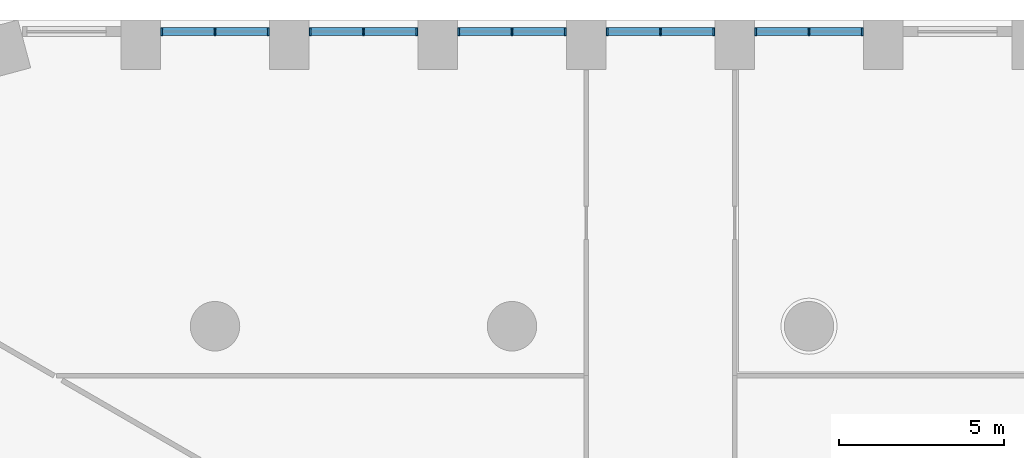
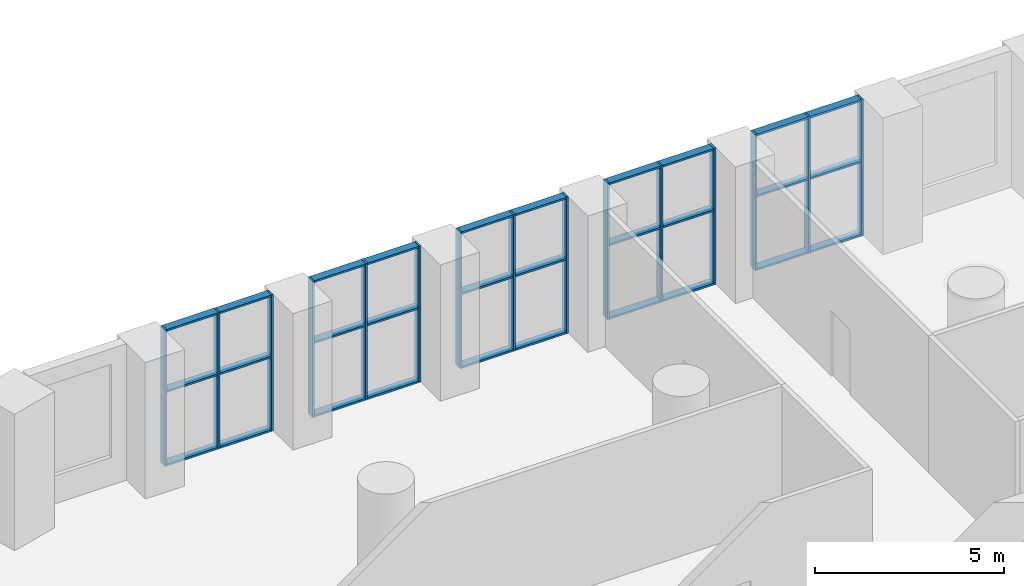
# One storey, part 3 of 26: 45 members, 5 elements without a shape of their own.
"""IFC4 building model written with IfcOpenShell, lengths in metres."""

from ifc_helpers import new_model, si_unit, direction, frame, origin, origin_2d, place, context, subcontext, project, spatial, rectangle, extrude, material, layer, layer_set, material_profile, profile_set, type_object, element, aggregate, save


model = new_model("IFC4")

# Units and contexts
model_context = context("Model", 3, precision=1e-05, world=origin(), true_north=direction((0.0, 1.0)))
body_context = subcontext(model_context, "Body", "Model", "MODEL_VIEW")
ifc_project = project(units=[si_unit("LENGTHUNIT", "METRE"), si_unit("AREAUNIT", "SQUARE_METRE"), si_unit("VOLUMEUNIT", "CUBIC_METRE"), si_unit("PLANEANGLEUNIT", "RADIAN"), si_unit("MASSUNIT", "GRAM", prefix="KILO")], contexts=[model_context])

# Site, building, storey
site_placement = place(None, origin())
site = spatial("IfcSite", under=ifc_project, at=site_placement, CompositionType="ELEMENT")
building_placement = place(site_placement, origin())
building = spatial("IfcBuilding", under=site, at=building_placement, Name="Dhurran Vertical Campus", CompositionType="ELEMENT")
storey_placement = place(building_placement, frame((0.0, 0.0, 15.60009765625)))
storey = spatial("IfcBuildingStorey", under=building, at=storey_placement, Name="L03", CompositionType="ELEMENT", Elevation=15.60009765625)

# Curtain wall, members
ifc_material_1 = material(Name="Aluminium frame with solar-control glass", Category="aluminium")
ifc_layer = layer(ifc_material_1, 0.25)
ifc_layer_set = layer_set([ifc_layer], Name="Aluminium frame with solar-control glass")
curtain_wall_type = type_object("IfcCurtainWallType", Name="Library atrium glazing system", PredefinedType="NOTDEFINED", material=ifc_layer_set)
curtain_wall_1_placement = place(storey_placement, origin())
curtain_wall_1 = element("IfcCurtainWall", 1, at=curtain_wall_1_placement, inside=storey, type_object=curtain_wall_type, Name="CW2 L03.29", PredefinedType="NOTDEFINED")
ifc_material_2 = material(Name="Aluminium mullion", Category="aluminium")
ifc_material_profile_1 = material_profile(ifc_material_2, rectangle(XDim=0.239990234375, YDim=0.06005859375, at=origin_2d()), Name="Library atrium glazing system mullion")
ifc_profile_set_1 = profile_set([ifc_material_profile_1], Name="Aluminium mullion")
member_type_1 = type_object("IfcMemberType", Name="Library atrium glazing system mullion", PredefinedType="MULLION", material=ifc_profile_set_1)
member_1_placement = place(storey_placement, frame((6.119384765625, 31.4296875, 0.0), z_axis=(0.0, 0.0, 1.0), x_axis=(0.0, -1.0, 0.0)))
member_1 = element("IfcMember", 2, at=member_1_placement, type_object=member_type_1, Name="CW2 mullion 1", PredefinedType="MULLION", context=body_context, shape_type="SweptSolid", body=[
    extrude(rectangle(XDim=0.239990234375, YDim=0.06005859375, at=origin_2d()), origin(), (0.0, 0.0, 1.0), 4.39990234375),
])
member_2_placement = place(storey_placement, frame((4.5, 31.4296875, 0.0), z_axis=(0.0, 0.0, 1.0), x_axis=(0.0, -1.0, 0.0)))
member_2 = element("IfcMember", 3, at=member_2_placement, type_object=member_type_1, Name="CW2 mullion 2", PredefinedType="MULLION", context=body_context, shape_type="SweptSolid", body=[
    extrude(rectangle(XDim=0.239990234375, YDim=0.06005859375, at=origin_2d()), origin(), (0.0, 0.0, 1.0), 4.39990234375),
])
member_3_placement = place(storey_placement, frame((2.880615234375, 31.4296875, 0.0), z_axis=(0.0, 0.0, 1.0), x_axis=(0.0, -1.0, 0.0)))
member_3 = element("IfcMember", 4, at=member_3_placement, type_object=member_type_1, Name="CW2 mullion 3", PredefinedType="MULLION", context=body_context, shape_type="SweptSolid", body=[
    extrude(rectangle(XDim=0.239990234375, YDim=0.06005859375, at=origin_2d()), origin(), (0.0, 0.0, 1.0), 4.39990234375),
])

curtain_wall_2_placement = place(storey_placement, origin())
curtain_wall_2 = element("IfcCurtainWall", 5, at=curtain_wall_2_placement, inside=storey, type_object=curtain_wall_type, Name="CW2 L03.30", PredefinedType="NOTDEFINED")
member_4_placement = place(storey_placement, frame((1.619384765625, 31.4296875, 0.0), z_axis=(0.0, 0.0, 1.0), x_axis=(0.0, -1.0, 0.0)))
member_4 = element("IfcMember", 6, at=member_4_placement, type_object=member_type_1, Name="CW2 mullion 1", PredefinedType="MULLION", context=body_context, shape_type="SweptSolid", body=[
    extrude(rectangle(XDim=0.239990234375, YDim=0.06005859375, at=origin_2d()), origin(), (0.0, 0.0, 1.0), 4.39990234375),
])
member_5_placement = place(storey_placement, frame((0.0, 31.4296875, 0.0), z_axis=(0.0, 0.0, 1.0), x_axis=(0.0, -1.0, 0.0)))
member_5 = element("IfcMember", 7, at=member_5_placement, type_object=member_type_1, Name="CW2 mullion 2", PredefinedType="MULLION", context=body_context, shape_type="SweptSolid", body=[
    extrude(rectangle(XDim=0.239990234375, YDim=0.06005859375, at=origin_2d()), origin(), (0.0, 0.0, 1.0), 4.39990234375),
])
member_6_placement = place(storey_placement, frame((-1.619384765625, 31.4296875, 0.0), z_axis=(0.0, 0.0, 1.0), x_axis=(0.0, -1.0, 0.0)))
member_6 = element("IfcMember", 8, at=member_6_placement, type_object=member_type_1, Name="CW2 mullion 3", PredefinedType="MULLION", context=body_context, shape_type="SweptSolid", body=[
    extrude(rectangle(XDim=0.239990234375, YDim=0.06005859375, at=origin_2d()), origin(), (0.0, 0.0, 1.0), 4.39990234375),
])

curtain_wall_3_placement = place(storey_placement, origin())
curtain_wall_3 = element("IfcCurtainWall", 9, at=curtain_wall_3_placement, inside=storey, type_object=curtain_wall_type, Name="CW2 L03.31", PredefinedType="NOTDEFINED")
member_7_placement = place(storey_placement, frame((-2.880615234375, 31.4296875, 0.0), z_axis=(0.0, 0.0, 1.0), x_axis=(0.0, -1.0, 0.0)))
member_7 = element("IfcMember", 10, at=member_7_placement, type_object=member_type_1, Name="CW2 mullion 1", PredefinedType="MULLION", context=body_context, shape_type="SweptSolid", body=[
    extrude(rectangle(XDim=0.239990234375, YDim=0.06005859375, at=origin_2d()), origin(), (0.0, 0.0, 1.0), 4.39990234375),
])
member_8_placement = place(storey_placement, frame((-4.5, 31.4296875, 0.0), z_axis=(0.0, 0.0, 1.0), x_axis=(0.0, -1.0, 0.0)))
member_8 = element("IfcMember", 11, at=member_8_placement, type_object=member_type_1, Name="CW2 mullion 2", PredefinedType="MULLION", context=body_context, shape_type="SweptSolid", body=[
    extrude(rectangle(XDim=0.239990234375, YDim=0.06005859375, at=origin_2d()), origin(), (0.0, 0.0, 1.0), 4.39990234375),
])
member_9_placement = place(storey_placement, frame((-6.119384765625, 31.4296875, 0.0), z_axis=(0.0, 0.0, 1.0), x_axis=(0.0, -1.0, 0.0)))
member_9 = element("IfcMember", 12, at=member_9_placement, type_object=member_type_1, Name="CW2 mullion 3", PredefinedType="MULLION", context=body_context, shape_type="SweptSolid", body=[
    extrude(rectangle(XDim=0.239990234375, YDim=0.06005859375, at=origin_2d()), origin(), (0.0, 0.0, 1.0), 4.39990234375),
])

curtain_wall_4_placement = place(storey_placement, origin())
curtain_wall_4 = element("IfcCurtainWall", 13, at=curtain_wall_4_placement, inside=storey, type_object=curtain_wall_type, Name="CW2 L03.32", PredefinedType="NOTDEFINED")
member_10_placement = place(storey_placement, frame((-7.380615234375, 31.4296875, 0.0), z_axis=(0.0, 0.0, 1.0), x_axis=(0.0, -1.0, 0.0)))
member_10 = element("IfcMember", 14, at=member_10_placement, type_object=member_type_1, Name="CW2 mullion 1", PredefinedType="MULLION", context=body_context, shape_type="SweptSolid", body=[
    extrude(rectangle(XDim=0.239990234375, YDim=0.06005859375, at=origin_2d()), origin(), (0.0, 0.0, 1.0), 4.39990234375),
])
member_11_placement = place(storey_placement, frame((-9.0, 31.4296875, 0.0), z_axis=(0.0, 0.0, 1.0), x_axis=(0.0, -1.0, 0.0)))
member_11 = element("IfcMember", 15, at=member_11_placement, type_object=member_type_1, Name="CW2 mullion 2", PredefinedType="MULLION", context=body_context, shape_type="SweptSolid", body=[
    extrude(rectangle(XDim=0.239990234375, YDim=0.06005859375, at=origin_2d()), origin(), (0.0, 0.0, 1.0), 4.39990234375),
])
member_12_placement = place(storey_placement, frame((-10.619384765625, 31.4296875, 0.0), z_axis=(0.0, 0.0, 1.0), x_axis=(0.0, -1.0, 0.0)))
member_12 = element("IfcMember", 16, at=member_12_placement, type_object=member_type_1, Name="CW2 mullion 3", PredefinedType="MULLION", context=body_context, shape_type="SweptSolid", body=[
    extrude(rectangle(XDim=0.239990234375, YDim=0.06005859375, at=origin_2d()), origin(), (0.0, 0.0, 1.0), 4.39990234375),
])

curtain_wall_5_placement = place(storey_placement, origin())
curtain_wall_5 = element("IfcCurtainWall", 17, at=curtain_wall_5_placement, inside=storey, type_object=curtain_wall_type, Name="CW2 L03.33", PredefinedType="NOTDEFINED")
member_13_placement = place(storey_placement, frame((-11.880615234375, 31.4296875, 0.0), z_axis=(0.0, 0.0, 1.0), x_axis=(0.0, -1.0, 0.0)))
member_13 = element("IfcMember", 18, at=member_13_placement, type_object=member_type_1, Name="CW2 mullion 1", PredefinedType="MULLION", context=body_context, shape_type="SweptSolid", body=[
    extrude(rectangle(XDim=0.239990234375, YDim=0.06005859375, at=origin_2d()), origin(), (0.0, 0.0, 1.0), 4.39990234375),
])
member_14_placement = place(storey_placement, frame((-13.5, 31.4296875, 0.0), z_axis=(0.0, 0.0, 1.0), x_axis=(0.0, -1.0, 0.0)))
member_14 = element("IfcMember", 19, at=member_14_placement, type_object=member_type_1, Name="CW2 mullion 2", PredefinedType="MULLION", context=body_context, shape_type="SweptSolid", body=[
    extrude(rectangle(XDim=0.239990234375, YDim=0.06005859375, at=origin_2d()), origin(), (0.0, 0.0, 1.0), 4.39990234375),
])
member_15_placement = place(storey_placement, frame((-15.119384765625, 31.4296875, 0.0), z_axis=(0.0, 0.0, 1.0), x_axis=(0.0, -1.0, 0.0)))
member_15 = element("IfcMember", 20, at=member_15_placement, type_object=member_type_1, Name="CW2 mullion 3", PredefinedType="MULLION", context=body_context, shape_type="SweptSolid", body=[
    extrude(rectangle(XDim=0.239990234375, YDim=0.06005859375, at=origin_2d()), origin(), (0.0, 0.0, 1.0), 4.39990234375),
])

# Member
ifc_material_3 = material(Name="Aluminium transom", Category="aluminium")
ifc_material_profile_2 = material_profile(ifc_material_3, rectangle(XDim=0.239990234375, YDim=0.06005859375, at=origin_2d()), Name="Library atrium glazing system transom")
ifc_profile_set_2 = profile_set([ifc_material_profile_2], Name="Aluminium transom")
member_type_2 = type_object("IfcMemberType", Name="Library atrium glazing system transom", PredefinedType="USERDEFINED", material=ifc_profile_set_2)
member_16_placement = place(storey_placement, frame((6.089599609375, 31.4296875, 0.02978515625), z_axis=(-1.0, 0.0, 0.0), x_axis=(0.0, -1.0, 0.0)))
member_16 = element("IfcMember", 21, at=member_16_placement, type_object=member_type_2, Name="CW2 transom 1.1", ObjectType="TRANSOM", PredefinedType="USERDEFINED", context=body_context, shape_type="SweptSolid", body=[
    extrude(rectangle(XDim=0.239990234375, YDim=0.06005859375, at=origin_2d()), origin(), (0.0, 0.0, 1.0), 1.5595703125),
])

member_17_placement = place(storey_placement, frame((6.089599609375, 31.4296875, 2.39990234375), z_axis=(-1.0, 0.0, 0.0), x_axis=(0.0, -1.0, 0.0)))
member_17 = element("IfcMember", 22, at=member_17_placement, type_object=member_type_2, Name="CW2 transom 1.2", ObjectType="TRANSOM", PredefinedType="USERDEFINED", context=body_context, shape_type="SweptSolid", body=[
    extrude(rectangle(XDim=0.239990234375, YDim=0.06005859375, at=origin_2d()), origin(), (0.0, 0.0, 1.0), 1.5595703125),
])

member_18_placement = place(storey_placement, frame((6.089599609375, 31.4296875, 4.369873046875), z_axis=(-1.0, 0.0, 0.0), x_axis=(0.0, -1.0, 0.0)))
member_18 = element("IfcMember", 23, at=member_18_placement, type_object=member_type_2, Name="CW2 transom 1.3", ObjectType="TRANSOM", PredefinedType="USERDEFINED", context=body_context, shape_type="SweptSolid", body=[
    extrude(rectangle(XDim=0.239990234375, YDim=0.06005859375, at=origin_2d()), origin(), (0.0, 0.0, 1.0), 1.5595703125),
])

member_19_placement = place(storey_placement, frame((4.469970703125, 31.4296875, 0.02978515625), z_axis=(-1.0, 0.0, 0.0), x_axis=(0.0, -1.0, 0.0)))
member_19 = element("IfcMember", 24, at=member_19_placement, type_object=member_type_2, Name="CW2 transom 2.1", ObjectType="TRANSOM", PredefinedType="USERDEFINED", context=body_context, shape_type="SweptSolid", body=[
    extrude(rectangle(XDim=0.239990234375, YDim=0.06005859375, at=origin_2d()), origin(), (0.0, 0.0, 1.0), 1.5595703125),
])

member_20_placement = place(storey_placement, frame((4.469970703125, 31.4296875, 2.39990234375), z_axis=(-1.0, 0.0, 0.0), x_axis=(0.0, -1.0, 0.0)))
member_20 = element("IfcMember", 25, at=member_20_placement, type_object=member_type_2, Name="CW2 transom 2.2", ObjectType="TRANSOM", PredefinedType="USERDEFINED", context=body_context, shape_type="SweptSolid", body=[
    extrude(rectangle(XDim=0.239990234375, YDim=0.06005859375, at=origin_2d()), origin(), (0.0, 0.0, 1.0), 1.5595703125),
])

member_21_placement = place(storey_placement, frame((4.469970703125, 31.4296875, 4.369873046875), z_axis=(-1.0, 0.0, 0.0), x_axis=(0.0, -1.0, 0.0)))
member_21 = element("IfcMember", 26, at=member_21_placement, type_object=member_type_2, Name="CW2 transom 2.3", ObjectType="TRANSOM", PredefinedType="USERDEFINED", context=body_context, shape_type="SweptSolid", body=[
    extrude(rectangle(XDim=0.239990234375, YDim=0.06005859375, at=origin_2d()), origin(), (0.0, 0.0, 1.0), 1.5595703125),
])

aggregate(curtain_wall_1, [member_1, member_2, member_3, member_16, member_17, member_18, member_19, member_20, member_21])

member_22_placement = place(storey_placement, frame((1.589599609375, 31.4296875, 0.02978515625), z_axis=(-1.0, 0.0, 0.0), x_axis=(0.0, -1.0, 0.0)))
member_22 = element("IfcMember", 27, at=member_22_placement, type_object=member_type_2, Name="CW2 transom 1.1", ObjectType="TRANSOM", PredefinedType="USERDEFINED", context=body_context, shape_type="SweptSolid", body=[
    extrude(rectangle(XDim=0.239990234375, YDim=0.06005859375, at=origin_2d()), origin(), (0.0, 0.0, 1.0), 1.5595703125),
])

member_23_placement = place(storey_placement, frame((1.589599609375, 31.4296875, 2.39990234375), z_axis=(-1.0, 0.0, 0.0), x_axis=(0.0, -1.0, 0.0)))
member_23 = element("IfcMember", 28, at=member_23_placement, type_object=member_type_2, Name="CW2 transom 1.2", ObjectType="TRANSOM", PredefinedType="USERDEFINED", context=body_context, shape_type="SweptSolid", body=[
    extrude(rectangle(XDim=0.239990234375, YDim=0.06005859375, at=origin_2d()), origin(), (0.0, 0.0, 1.0), 1.5595703125),
])

member_24_placement = place(storey_placement, frame((1.589599609375, 31.4296875, 4.369873046875), z_axis=(-1.0, 0.0, 0.0), x_axis=(0.0, -1.0, 0.0)))
member_24 = element("IfcMember", 29, at=member_24_placement, type_object=member_type_2, Name="CW2 transom 1.3", ObjectType="TRANSOM", PredefinedType="USERDEFINED", context=body_context, shape_type="SweptSolid", body=[
    extrude(rectangle(XDim=0.239990234375, YDim=0.06005859375, at=origin_2d()), origin(), (0.0, 0.0, 1.0), 1.5595703125),
])

member_25_placement = place(storey_placement, frame((-0.030029296875, 31.4296875, 0.02978515625), z_axis=(-1.0, 0.0, 0.0), x_axis=(0.0, -1.0, 0.0)))
member_25 = element("IfcMember", 30, at=member_25_placement, type_object=member_type_2, Name="CW2 transom 2.1", ObjectType="TRANSOM", PredefinedType="USERDEFINED", context=body_context, shape_type="SweptSolid", body=[
    extrude(rectangle(XDim=0.239990234375, YDim=0.06005859375, at=origin_2d()), origin(), (0.0, 0.0, 1.0), 1.5595703125),
])

member_26_placement = place(storey_placement, frame((-0.030029296875, 31.4296875, 2.39990234375), z_axis=(-1.0, 0.0, 0.0), x_axis=(0.0, -1.0, 0.0)))
member_26 = element("IfcMember", 31, at=member_26_placement, type_object=member_type_2, Name="CW2 transom 2.2", ObjectType="TRANSOM", PredefinedType="USERDEFINED", context=body_context, shape_type="SweptSolid", body=[
    extrude(rectangle(XDim=0.239990234375, YDim=0.06005859375, at=origin_2d()), origin(), (0.0, 0.0, 1.0), 1.5595703125),
])

member_27_placement = place(storey_placement, frame((-0.030029296875, 31.4296875, 4.369873046875), z_axis=(-1.0, 0.0, 0.0), x_axis=(0.0, -1.0, 0.0)))
member_27 = element("IfcMember", 32, at=member_27_placement, type_object=member_type_2, Name="CW2 transom 2.3", ObjectType="TRANSOM", PredefinedType="USERDEFINED", context=body_context, shape_type="SweptSolid", body=[
    extrude(rectangle(XDim=0.239990234375, YDim=0.06005859375, at=origin_2d()), origin(), (0.0, 0.0, 1.0), 1.5595703125),
])

aggregate(curtain_wall_2, [member_4, member_5, member_6, member_22, member_23, member_24, member_25, member_26, member_27])

member_28_placement = place(storey_placement, frame((-2.910400390625, 31.4296875, 0.02978515625), z_axis=(-1.0, 0.0, 0.0), x_axis=(0.0, -1.0, 0.0)))
member_28 = element("IfcMember", 33, at=member_28_placement, type_object=member_type_2, Name="CW2 transom 1.1", ObjectType="TRANSOM", PredefinedType="USERDEFINED", context=body_context, shape_type="SweptSolid", body=[
    extrude(rectangle(XDim=0.239990234375, YDim=0.06005859375, at=origin_2d()), origin(), (0.0, 0.0, 1.0), 1.5595703125),
])

member_29_placement = place(storey_placement, frame((-2.910400390625, 31.4296875, 2.39990234375), z_axis=(-1.0, 0.0, 0.0), x_axis=(0.0, -1.0, 0.0)))
member_29 = element("IfcMember", 34, at=member_29_placement, type_object=member_type_2, Name="CW2 transom 1.2", ObjectType="TRANSOM", PredefinedType="USERDEFINED", context=body_context, shape_type="SweptSolid", body=[
    extrude(rectangle(XDim=0.239990234375, YDim=0.06005859375, at=origin_2d()), origin(), (0.0, 0.0, 1.0), 1.5595703125),
])

member_30_placement = place(storey_placement, frame((-2.910400390625, 31.4296875, 4.369873046875), z_axis=(-1.0, 0.0, 0.0), x_axis=(0.0, -1.0, 0.0)))
member_30 = element("IfcMember", 35, at=member_30_placement, type_object=member_type_2, Name="CW2 transom 1.3", ObjectType="TRANSOM", PredefinedType="USERDEFINED", context=body_context, shape_type="SweptSolid", body=[
    extrude(rectangle(XDim=0.239990234375, YDim=0.06005859375, at=origin_2d()), origin(), (0.0, 0.0, 1.0), 1.5595703125),
])

member_31_placement = place(storey_placement, frame((-4.530029296875, 31.4296875, 0.02978515625), z_axis=(-1.0, 0.0, 0.0), x_axis=(0.0, -1.0, 0.0)))
member_31 = element("IfcMember", 36, at=member_31_placement, type_object=member_type_2, Name="CW2 transom 2.1", ObjectType="TRANSOM", PredefinedType="USERDEFINED", context=body_context, shape_type="SweptSolid", body=[
    extrude(rectangle(XDim=0.239990234375, YDim=0.06005859375, at=origin_2d()), origin(), (0.0, 0.0, 1.0), 1.5595703125),
])

member_32_placement = place(storey_placement, frame((-4.530029296875, 31.4296875, 2.39990234375), z_axis=(-1.0, 0.0, 0.0), x_axis=(0.0, -1.0, 0.0)))
member_32 = element("IfcMember", 37, at=member_32_placement, type_object=member_type_2, Name="CW2 transom 2.2", ObjectType="TRANSOM", PredefinedType="USERDEFINED", context=body_context, shape_type="SweptSolid", body=[
    extrude(rectangle(XDim=0.239990234375, YDim=0.06005859375, at=origin_2d()), origin(), (0.0, 0.0, 1.0), 1.5595703125),
])

member_33_placement = place(storey_placement, frame((-4.530029296875, 31.4296875, 4.369873046875), z_axis=(-1.0, 0.0, 0.0), x_axis=(0.0, -1.0, 0.0)))
member_33 = element("IfcMember", 38, at=member_33_placement, type_object=member_type_2, Name="CW2 transom 2.3", ObjectType="TRANSOM", PredefinedType="USERDEFINED", context=body_context, shape_type="SweptSolid", body=[
    extrude(rectangle(XDim=0.239990234375, YDim=0.06005859375, at=origin_2d()), origin(), (0.0, 0.0, 1.0), 1.5595703125),
])

aggregate(curtain_wall_3, [member_7, member_8, member_9, member_28, member_29, member_30, member_31, member_32, member_33])

member_34_placement = place(storey_placement, frame((-7.410400390625, 31.4296875, 0.02978515625), z_axis=(-1.0, 0.0, 0.0), x_axis=(0.0, -1.0, 0.0)))
member_34 = element("IfcMember", 39, at=member_34_placement, type_object=member_type_2, Name="CW2 transom 1.1", ObjectType="TRANSOM", PredefinedType="USERDEFINED", context=body_context, shape_type="SweptSolid", body=[
    extrude(rectangle(XDim=0.239990234375, YDim=0.06005859375, at=origin_2d()), origin(), (0.0, 0.0, 1.0), 1.5595703125),
])

member_35_placement = place(storey_placement, frame((-7.410400390625, 31.4296875, 2.39990234375), z_axis=(-1.0, 0.0, 0.0), x_axis=(0.0, -1.0, 0.0)))
member_35 = element("IfcMember", 40, at=member_35_placement, type_object=member_type_2, Name="CW2 transom 1.2", ObjectType="TRANSOM", PredefinedType="USERDEFINED", context=body_context, shape_type="SweptSolid", body=[
    extrude(rectangle(XDim=0.239990234375, YDim=0.06005859375, at=origin_2d()), origin(), (0.0, 0.0, 1.0), 1.5595703125),
])

member_36_placement = place(storey_placement, frame((-7.410400390625, 31.4296875, 4.369873046875), z_axis=(-1.0, 0.0, 0.0), x_axis=(0.0, -1.0, 0.0)))
member_36 = element("IfcMember", 41, at=member_36_placement, type_object=member_type_2, Name="CW2 transom 1.3", ObjectType="TRANSOM", PredefinedType="USERDEFINED", context=body_context, shape_type="SweptSolid", body=[
    extrude(rectangle(XDim=0.239990234375, YDim=0.06005859375, at=origin_2d()), origin(), (0.0, 0.0, 1.0), 1.5595703125),
])

member_37_placement = place(storey_placement, frame((-9.030029296875, 31.4296875, 0.02978515625), z_axis=(-1.0, 0.0, 0.0), x_axis=(0.0, -1.0, 0.0)))
member_37 = element("IfcMember", 42, at=member_37_placement, type_object=member_type_2, Name="CW2 transom 2.1", ObjectType="TRANSOM", PredefinedType="USERDEFINED", context=body_context, shape_type="SweptSolid", body=[
    extrude(rectangle(XDim=0.239990234375, YDim=0.06005859375, at=origin_2d()), origin(), (0.0, 0.0, 1.0), 1.5595703125),
])

member_38_placement = place(storey_placement, frame((-9.030029296875, 31.4296875, 2.39990234375), z_axis=(-1.0, 0.0, 0.0), x_axis=(0.0, -1.0, 0.0)))
member_38 = element("IfcMember", 43, at=member_38_placement, type_object=member_type_2, Name="CW2 transom 2.2", ObjectType="TRANSOM", PredefinedType="USERDEFINED", context=body_context, shape_type="SweptSolid", body=[
    extrude(rectangle(XDim=0.239990234375, YDim=0.06005859375, at=origin_2d()), origin(), (0.0, 0.0, 1.0), 1.5595703125),
])

member_39_placement = place(storey_placement, frame((-9.030029296875, 31.4296875, 4.369873046875), z_axis=(-1.0, 0.0, 0.0), x_axis=(0.0, -1.0, 0.0)))
member_39 = element("IfcMember", 44, at=member_39_placement, type_object=member_type_2, Name="CW2 transom 2.3", ObjectType="TRANSOM", PredefinedType="USERDEFINED", context=body_context, shape_type="SweptSolid", body=[
    extrude(rectangle(XDim=0.239990234375, YDim=0.06005859375, at=origin_2d()), origin(), (0.0, 0.0, 1.0), 1.5595703125),
])

aggregate(curtain_wall_4, [member_10, member_11, member_12, member_34, member_35, member_36, member_37, member_38, member_39])

member_40_placement = place(storey_placement, frame((-11.910400390625, 31.4296875, 0.02978515625), z_axis=(-1.0, 0.0, 0.0), x_axis=(0.0, -1.0, 0.0)))
member_40 = element("IfcMember", 45, at=member_40_placement, type_object=member_type_2, Name="CW2 transom 1.1", ObjectType="TRANSOM", PredefinedType="USERDEFINED", context=body_context, shape_type="SweptSolid", body=[
    extrude(rectangle(XDim=0.239990234375, YDim=0.06005859375, at=origin_2d()), origin(), (0.0, 0.0, 1.0), 1.5595703125),
])

member_41_placement = place(storey_placement, frame((-11.910400390625, 31.4296875, 2.39990234375), z_axis=(-1.0, 0.0, 0.0), x_axis=(0.0, -1.0, 0.0)))
member_41 = element("IfcMember", 46, at=member_41_placement, type_object=member_type_2, Name="CW2 transom 1.2", ObjectType="TRANSOM", PredefinedType="USERDEFINED", context=body_context, shape_type="SweptSolid", body=[
    extrude(rectangle(XDim=0.239990234375, YDim=0.06005859375, at=origin_2d()), origin(), (0.0, 0.0, 1.0), 1.5595703125),
])

member_42_placement = place(storey_placement, frame((-11.910400390625, 31.4296875, 4.369873046875), z_axis=(-1.0, 0.0, 0.0), x_axis=(0.0, -1.0, 0.0)))
member_42 = element("IfcMember", 47, at=member_42_placement, type_object=member_type_2, Name="CW2 transom 1.3", ObjectType="TRANSOM", PredefinedType="USERDEFINED", context=body_context, shape_type="SweptSolid", body=[
    extrude(rectangle(XDim=0.239990234375, YDim=0.06005859375, at=origin_2d()), origin(), (0.0, 0.0, 1.0), 1.5595703125),
])

member_43_placement = place(storey_placement, frame((-13.530029296875, 31.4296875, 0.02978515625), z_axis=(-1.0, 0.0, 0.0), x_axis=(0.0, -1.0, 0.0)))
member_43 = element("IfcMember", 48, at=member_43_placement, type_object=member_type_2, Name="CW2 transom 2.1", ObjectType="TRANSOM", PredefinedType="USERDEFINED", context=body_context, shape_type="SweptSolid", body=[
    extrude(rectangle(XDim=0.239990234375, YDim=0.06005859375, at=origin_2d()), origin(), (0.0, 0.0, 1.0), 1.5595703125),
])

member_44_placement = place(storey_placement, frame((-13.530029296875, 31.4296875, 2.39990234375), z_axis=(-1.0, 0.0, 0.0), x_axis=(0.0, -1.0, 0.0)))
member_44 = element("IfcMember", 49, at=member_44_placement, type_object=member_type_2, Name="CW2 transom 2.2", ObjectType="TRANSOM", PredefinedType="USERDEFINED", context=body_context, shape_type="SweptSolid", body=[
    extrude(rectangle(XDim=0.239990234375, YDim=0.06005859375, at=origin_2d()), origin(), (0.0, 0.0, 1.0), 1.5595703125),
])

member_45_placement = place(storey_placement, frame((-13.530029296875, 31.4296875, 4.369873046875), z_axis=(-1.0, 0.0, 0.0), x_axis=(0.0, -1.0, 0.0)))
member_45 = element("IfcMember", 50, at=member_45_placement, type_object=member_type_2, Name="CW2 transom 2.3", ObjectType="TRANSOM", PredefinedType="USERDEFINED", context=body_context, shape_type="SweptSolid", body=[
    extrude(rectangle(XDim=0.239990234375, YDim=0.06005859375, at=origin_2d()), origin(), (0.0, 0.0, 1.0), 1.5595703125),
])

aggregate(curtain_wall_5, [member_13, member_14, member_15, member_40, member_41, member_42, member_43, member_44, member_45])

save(model, "model.ifc")
